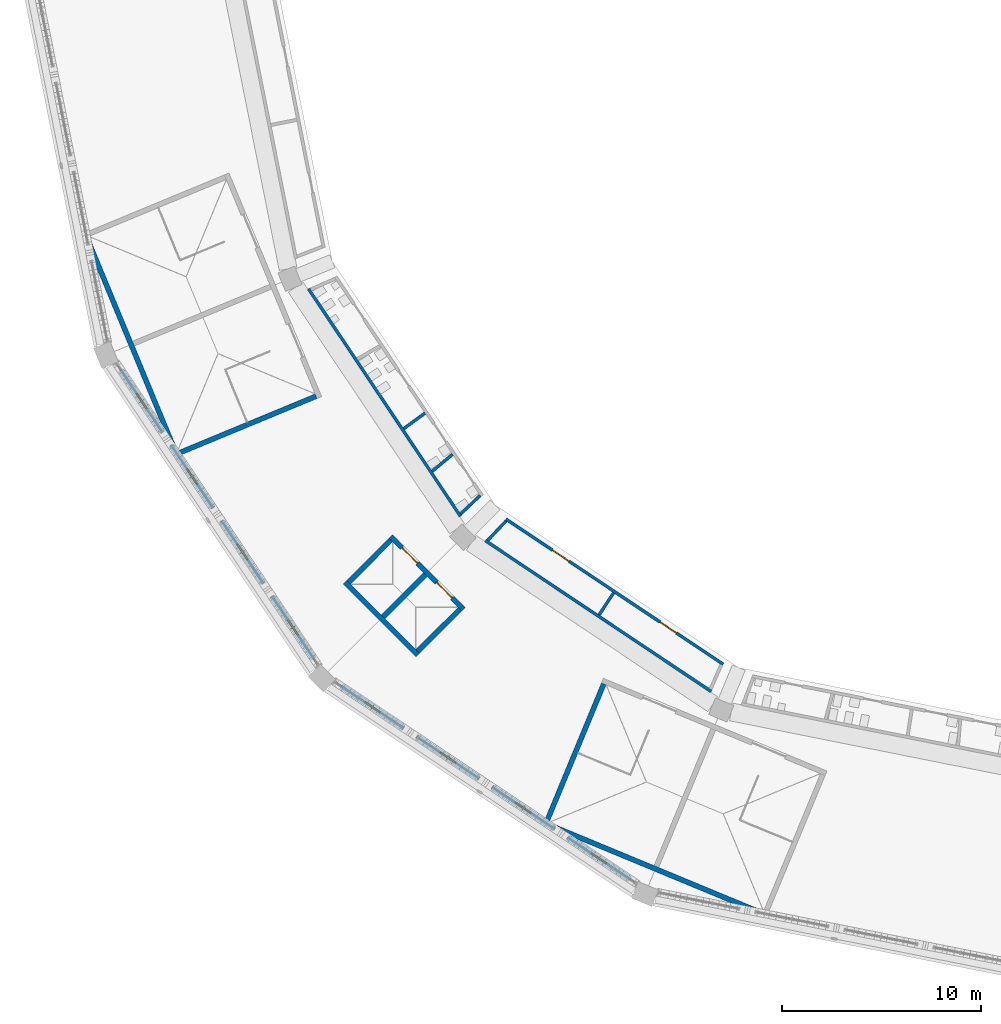
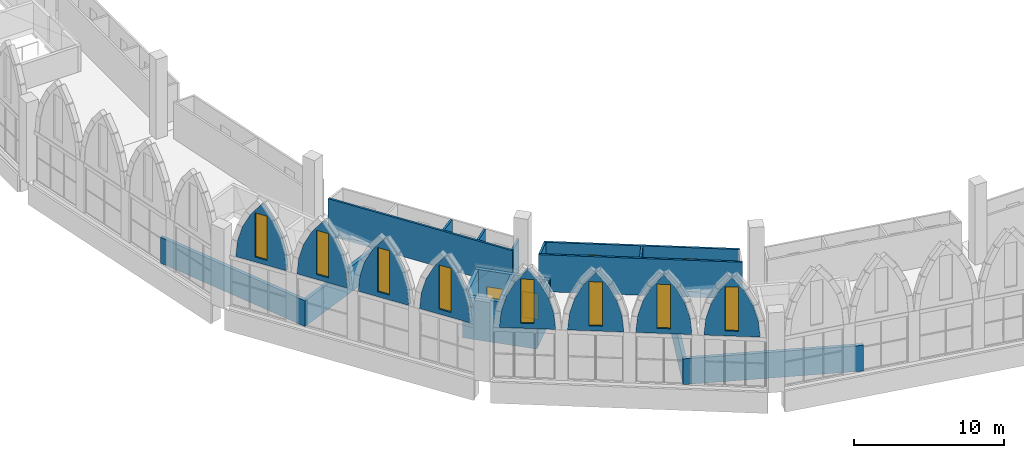
# One storey, part 63 of 130: 25 walls, 8 windows, 4 doors, 12 openings.
"""IFC4 building model written with IfcOpenShell, lengths in metres."""

from ifc_helpers import new_model, si_unit, direction, frame, frame_2d, origin, place, context, subcontext, project, spatial, polyline, rectangle, outline, extrude, material, layer, layer_set, type_object, element, fill, save


model = new_model("IFC4")

# Units and contexts
model_context = context("Model", 3, precision=1e-05, world=origin(), true_north=direction((0.0, 1.0)))
body_context = subcontext(model_context, "Body", "Model", "MODEL_VIEW")
ifc_project = project(units=[si_unit("LENGTHUNIT", "METRE"), si_unit("AREAUNIT", "SQUARE_METRE"), si_unit("VOLUMEUNIT", "CUBIC_METRE"), si_unit("PLANEANGLEUNIT", "RADIAN"), si_unit("MASSUNIT", "GRAM", prefix="KILO")], contexts=[model_context])

# Site, building, storey
site_placement = place(None, origin())
site = spatial("IfcSite", under=ifc_project, at=site_placement, CompositionType="ELEMENT")
building_placement = place(site_placement, origin())
building = spatial("IfcBuilding", under=site, at=building_placement, Name="Ogive Plaza Stadium", CompositionType="ELEMENT")
storey_placement = place(building_placement, frame((0.0, 0.0, 22.5)))
storey = spatial("IfcBuildingStorey", under=building, at=storey_placement, Name="L05", CompositionType="ELEMENT", Elevation=22.5)

# Wall, openings, doors
ifc_material_1 = material(Name="Masonry blockwork", Category="masonry")
ifc_layer_1 = layer(ifc_material_1, 0.14990234375)
ifc_layer_set_1 = layer_set([ifc_layer_1], Name="Blockwork wall 150")
wall_type_1 = type_object("IfcWallType", Name="Blockwork wall 150", PredefinedType="SOLIDWALL", material=ifc_layer_set_1)
wall_1_placement = place(storey_placement, frame((-49.214599609375, -87.157958984375, 0.0), z_axis=(0.0, 0.0, 1.0), x_axis=(-0.831468390799, 0.555572061125, 0.0)))
wall_1 = element("IfcWall", 1, at=wall_1_placement, inside=storey, type_object=wall_type_1, Name="Wall L05 B18", PredefinedType="SOLIDWALL", context=body_context, shape_type="SweptSolid", body=[
    extrude(rectangle(XDim=13.11328125, YDim=0.14990234375, at=frame_2d((6.556640625, 0.0))), origin(), (0.0, 0.0, 1.0), 3.0),
])
opening_1_placement = place(wall_1_placement, frame((2.81494140625, 0.0, 0.0)))
opening_1 = element("IfcOpeningElement", 2, at=opening_1_placement, cuts=wall_1, Name="Opening D0969", PredefinedType="OPENING", context=body_context, shape_type="SweptSolid", body=[
    extrude(rectangle(XDim=1.0, YDim=2.10009765625, at=frame_2d((0.5, 1.050048828125))), frame((0.0, 0.074951171875, 0.0), z_axis=(0.0, -1.0, 0.0), x_axis=(1.0, 0.0, 0.0)), (0.0, 0.0, 1.0), 0.14990234375),
])
opening_2_placement = place(wall_1_placement, frame((9.298095703125, 0.0, 0.0)))
opening_2 = element("IfcOpeningElement", 3, at=opening_2_placement, cuts=wall_1, Name="Opening D0970", PredefinedType="OPENING", context=body_context, shape_type="SweptSolid", body=[
    extrude(rectangle(XDim=1.0, YDim=2.10009765625, at=frame_2d((0.5, 1.050048828125))), frame((0.0, 0.074951171875, 0.0), z_axis=(0.0, -1.0, 0.0), x_axis=(1.0, 0.0, 0.0)), (0.0, 0.0, 1.0), 0.14990234375),
])
ifc_material_2 = material(Name="Steel ASTM A572 Grade 50", Category="steel")
door_type_1 = type_object("IfcDoorType", Name="Door 1000 x 2100", OperationType="SINGLE_SWING_LEFT", PredefinedType="DOOR", material=ifc_material_2)
door_1_placement = place(opening_1_placement, origin())
door_1 = element("IfcDoor", 4, at=door_1_placement, inside=storey, type_object=door_type_1, Name="Concession Stand B18 door", OperationType="SINGLE_SWING_LEFT", OverallHeight=2.10009765625, OverallWidth=1.0, PredefinedType="DOOR", context=body_context, shape_type="SweptSolid", body=[
    extrude(rectangle(XDim=1.0, YDim=2.10009765625, at=frame_2d((0.5, 1.050048828125))), frame((0.0, 0.02490234375, 0.0), z_axis=(0.0, -1.0, 0.0), x_axis=(1.0, 0.0, 0.0)), (0.0, 0.0, 1.0), 0.050048828125),
])
fill(opening_1, door_1)
door_2_placement = place(opening_2_placement, origin())
door_2 = element("IfcDoor", 5, at=door_2_placement, inside=storey, type_object=door_type_1, Name="Concession Stand B18 door", OperationType="SINGLE_SWING_RIGHT", OverallHeight=2.10009765625, OverallWidth=1.0, PredefinedType="DOOR", context=body_context, shape_type="SweptSolid", body=[
    extrude(rectangle(XDim=1.0, YDim=2.10009765625, at=frame_2d((0.5, 1.050048828125))), frame((0.0, 0.02490234375, 0.0), z_axis=(0.0, -1.0, 0.0), x_axis=(1.0, 0.0, 0.0)), (0.0, 0.0, 1.0), 0.050048828125),
])
fill(opening_2, door_2)

# Walls
wall_2_placement = place(storey_placement, frame((-49.815185546875, -88.526123046875, 0.0), z_axis=(0.0, 0.0, 1.0), x_axis=(-0.831462899962, 0.555580278616, 0.0)))
element("IfcWall", 6, at=wall_2_placement, inside=storey, type_object=wall_type_1, Name="Wall L05 B18", PredefinedType="SOLIDWALL", context=body_context, shape_type="SweptSolid", body=[
    extrude(rectangle(XDim=13.630859375, YDim=0.14990234375, at=frame_2d((6.8154296875, 0.0))), origin(), (0.0, 0.0, 1.0), 3.0),
])
wall_3_placement = place(storey_placement, frame((-54.70703125, -83.576416015625, 0.0), z_axis=(0.0, 0.0, 1.0), x_axis=(-0.554402331293, -0.832248793966, 0.0)))
element("IfcWall", 7, at=wall_3_placement, inside=storey, type_object=wall_type_1, Name="Wall L05 B18", PredefinedType="SOLIDWALL", context=body_context, shape_type="SweptSolid", body=[
    extrude(rectangle(XDim=1.32421875, YDim=0.14990234375, at=frame_2d((0.662109375, 0.0))), origin(), (0.0, 0.0, 1.0), 3.0),
])
wall_4_placement = place(storey_placement, frame((-60.108154296875, -79.967529296875, 0.0), z_axis=(0.0, 0.0, 1.0), x_axis=(-0.688797211472, -0.724954068523, 0.0)))
element("IfcWall", 8, at=wall_4_placement, inside=storey, type_object=wall_type_1, Name="Wall L05 B18", PredefinedType="SOLIDWALL", context=body_context, shape_type="SweptSolid", body=[
    extrude(rectangle(XDim=1.34375, YDim=0.14990234375, at=frame_2d((0.671875, 0.0))), origin(), (0.0, 0.0, 1.0), 3.0),
])
ifc_material_3 = material(Name="Concrete C40/50", Category="concrete")
ifc_layer_2 = layer(ifc_material_3, 0.25)
ifc_layer_set_2 = layer_set([ifc_layer_2], Name="Concrete C40/50")
wall_type_2 = type_object("IfcWallType", Name="Core wall 250", PredefinedType="SHEAR", material=ifc_layer_set_2)
wall_5_placement = place(storey_placement, frame((-58.224365234375, -95.108154296875, 0.0), z_axis=(0.0, 0.0, 1.0), x_axis=(0.923884584817, -0.382671234792, 0.0)))
element("IfcWall", 9, at=wall_5_placement, inside=storey, type_object=wall_type_2, Name="Stair core R18 outer wall", PredefinedType="SHEAR", context=body_context, shape_type="SweptSolid", body=[
    extrude(rectangle(XDim=12.14990234375, YDim=0.25, at=frame_2d((6.074951171875, 0.0))), origin(), (0.0, 0.0, 1.0), 2.10009765625),
])
wall_6_placement = place(storey_placement, frame((-55.206298828125, -88.148193359375, 0.0), z_axis=(0.0, 0.0, 1.0), x_axis=(-0.382664910245, -0.923887204407, 0.0)))
element("IfcWall", 10, at=wall_6_placement, inside=storey, type_object=wall_type_2, Name="Stair core R18 side wall", PredefinedType="SHEAR", context=body_context, shape_type="SweptSolid", body=[
    extrude(rectangle(XDim=7.460205078125, YDim=0.25, at=frame_2d((3.72998046875, 0.0))), origin(), (0.0, 0.0, 1.0), 2.10009765625),
])
wall_7_placement = place(storey_placement, frame((-81.257568359375, -65.499267578125, 0.0), z_axis=(0.0, 0.0, 1.0), x_axis=(0.382671234792, -0.923884584817, 0.0)))
element("IfcWall", 11, at=wall_7_placement, inside=storey, type_object=wall_type_2, Name="Stair core R20 outer wall", PredefinedType="SHEAR", context=body_context, shape_type="SweptSolid", body=[
    extrude(rectangle(XDim=12.14990234375, YDim=0.25, at=frame_2d((6.074951171875, 0.0))), origin(), (0.0, 0.0, 1.0), 2.10009765625),
])
wall_8_placement = place(storey_placement, frame((-69.648193359375, -73.706298828125, 0.0), z_axis=(0.0, 0.0, 1.0), x_axis=(-0.923887204407, -0.382664910245, 0.0)))
element("IfcWall", 12, at=wall_8_placement, inside=storey, type_object=wall_type_2, Name="Stair core R20 side wall", PredefinedType="SHEAR", context=body_context, shape_type="SweptSolid", body=[
    extrude(rectangle(XDim=7.460205078125, YDim=0.25, at=frame_2d((3.72998046875, 0.0))), origin(), (0.0, 0.0, 1.0), 2.10009765625),
])

# Wall, openings, doors
ifc_material_4 = material(Name="Concrete C40/50", Category="concrete")
ifc_layer_3 = layer(ifc_material_4, 0.25)
ifc_layer_set_3 = layer_set([ifc_layer_3], Name="Concrete C40/50")
wall_type_3 = type_object("IfcWallType", Name="Core wall 250 A", PredefinedType="SHEAR", material=ifc_layer_set_3)
wall_9_placement = place(storey_placement, frame((-65.890625, -80.7490234375, 0.0), z_axis=(0.0, 0.0, 1.0), x_axis=(0.707106781187, -0.707106781187, 0.0)))
wall_9 = element("IfcWall", 13, at=wall_9_placement, inside=storey, type_object=wall_type_3, Name="Lift core LP19 landing wall", PredefinedType="SHEAR", context=body_context, shape_type="SweptSolid", body=[
    extrude(rectangle(XDim=5.14990234375, YDim=0.25, at=frame_2d((2.574951171875, 0.0))), origin(), (0.0, 0.0, 1.0), 3.39990234375),
])
opening_3_placement = place(wall_9_placement, frame((0.800048828125, 0.0, 0.0)))
opening_3 = element("IfcOpeningElement", 14, at=opening_3_placement, cuts=wall_9, Name="Opening LD054", PredefinedType="OPENING", context=body_context, shape_type="SweptSolid", body=[
    extrude(rectangle(XDim=1.10009765625, YDim=2.10009765625, at=frame_2d((0.550048828125, 1.050048828125))), frame((0.0, 0.125, 0.0), z_axis=(0.0, -1.0, 0.0), x_axis=(1.0, 0.0, 0.0)), (0.0, 0.0, 1.0), 0.25),
])
opening_4_placement = place(wall_9_placement, frame((3.25, 0.0, 0.0)))
opening_4 = element("IfcOpeningElement", 15, at=opening_4_placement, cuts=wall_9, Name="Opening LD055", PredefinedType="OPENING", context=body_context, shape_type="SweptSolid", body=[
    extrude(rectangle(XDim=1.10009765625, YDim=2.10009765625, at=frame_2d((0.550048828125, 1.050048828125))), frame((0.0, 0.125, 0.0), z_axis=(0.0, -1.0, 0.0), x_axis=(1.0, 0.0, 0.0)), (0.0, 0.0, 1.0), 0.25),
])
ifc_material_5 = material(Name="Steel ASTM A572 Grade 50", Category="steel")
door_type_2 = type_object("IfcDoorType", Name="Landing door 1100 x 2100", OperationType="SLIDING_TO_LEFT", PredefinedType="DOOR", material=ifc_material_5)
door_3_placement = place(opening_3_placement, origin())
door_3 = element("IfcDoor", 16, at=door_3_placement, inside=storey, type_object=door_type_2, Name="Lift landing door LP19 L05", OperationType="SLIDING_TO_LEFT", OverallHeight=2.10009765625, OverallWidth=1.10009765625, PredefinedType="DOOR", context=body_context, shape_type="SweptSolid", body=[
    extrude(rectangle(XDim=1.10009765625, YDim=2.10009765625, at=frame_2d((0.550048828125, 1.050048828125))), frame((0.0, 0.02490234375, 0.0), z_axis=(0.0, -1.0, 0.0), x_axis=(1.0, 0.0, 0.0)), (0.0, 0.0, 1.0), 0.050048828125),
])
fill(opening_3, door_3)
door_4_placement = place(opening_4_placement, origin())
door_4 = element("IfcDoor", 17, at=door_4_placement, inside=storey, type_object=door_type_2, Name="Lift landing door LP19 L05", OperationType="SLIDING_TO_LEFT", OverallHeight=2.10009765625, OverallWidth=1.10009765625, PredefinedType="DOOR", context=body_context, shape_type="SweptSolid", body=[
    extrude(rectangle(XDim=1.10009765625, YDim=2.10009765625, at=frame_2d((0.550048828125, 1.050048828125))), frame((0.0, 0.02490234375, 0.0), z_axis=(0.0, -1.0, 0.0), x_axis=(1.0, 0.0, 0.0)), (0.0, 0.0, 1.0), 0.050048828125),
])
fill(opening_4, door_4)

# Walls
wall_10_placement = place(storey_placement, frame((-68.188720703125, -83.047119140625, 0.0), z_axis=(0.0, 0.0, 1.0), x_axis=(0.707106781187, -0.707106781187, 0.0)))
element("IfcWall", 18, at=wall_10_placement, inside=storey, type_object=wall_type_3, Name="Lift core LP19 rear wall", PredefinedType="SHEAR", context=body_context, shape_type="SweptSolid", body=[
    extrude(rectangle(XDim=5.14990234375, YDim=0.25, at=frame_2d((2.574951171875, 0.0))), origin(), (0.0, 0.0, 1.0), 3.39990234375),
])
for number, where, z_axis, x_axis, name in (
    (19, (-65.890625, -80.92578125, 0.0), (0.0, 0.0, 1.0), (-0.707066087907, -0.707147472125, 0.0), "Lift core LP19 side wall"),
    (20, (-62.42578125, -84.390625, 0.0), (0.0, 0.0, 1.0), (-0.707147472125, -0.707066087907, 0.0), "Lift core LP19 side wall"),
):
    element("IfcWall", number, at=place(storey_placement, frame(where, z_axis=z_axis, x_axis=x_axis)), inside=storey, type_object=wall_type_3, Name=name, PredefinedType="SHEAR", context=body_context, shape_type="SweptSolid", body=[
        extrude(rectangle(XDim=2.999755859375, YDim=0.25, at=frame_2d((1.5, 0.0))), origin(), (0.0, 0.0, 1.0), 3.39990234375),
    ])
wall_11_placement = place(storey_placement, frame((-64.158203125, -82.658203125, 0.0), z_axis=(0.0, 0.0, 1.0), x_axis=(-0.707106781187, -0.707106781187, 0.0)))
element("IfcWall", 21, at=wall_11_placement, inside=storey, type_object=wall_type_3, Name="Lift core LP19 centre wall", PredefinedType="SHEAR", context=body_context, shape_type="SweptSolid", body=[
    extrude(rectangle(XDim=3.0, YDim=0.25, at=frame_2d((1.5, 0.0))), origin(), (0.0, 0.0, 1.0), 3.39990234375),
])
ifc_material_6 = material(Name="Gypsum board partition", Category="gypsum")
ifc_layer_4 = layer(ifc_material_6, 0.14990234375)
ifc_layer_set_4 = layer_set([ifc_layer_4], Name="Partition 150")
wall_type_4 = type_object("IfcWallType", Name="Partition 150", PredefinedType="PARTITIONING", material=ifc_layer_set_4)
wall_12_placement = place(storey_placement, frame((-70.026123046875, -68.315185546875, 0.0), z_axis=(0.0, 0.0, 1.0), x_axis=(0.555573905052, -0.831467158717, 0.0)))
element("IfcWall", 22, at=wall_12_placement, inside=storey, type_object=wall_type_4, Name="Wall L05 B19", PredefinedType="PARTITIONING", context=body_context, shape_type="SweptSolid", body=[
    extrude(rectangle(XDim=13.730224609375, YDim=0.14990234375, at=frame_2d((6.865234375, 0.0))), origin(), (0.0, 0.0, 1.0), 3.0),
])
wall_13_placement = place(storey_placement, frame((-64.177490234375, -74.552734375, 0.0), z_axis=(0.0, 0.0, 1.0), x_axis=(-0.807323605105, -0.59010897014, 0.0)))
element("IfcWall", 23, at=wall_13_placement, inside=storey, type_object=wall_type_4, Name="Wall L05 B19", PredefinedType="PARTITIONING", context=body_context, shape_type="SweptSolid", body=[
    extrude(rectangle(XDim=1.3251953125, YDim=0.14990234375, at=frame_2d((0.66259765625, 0.0))), origin(), (0.0, 0.0, 1.0), 3.0),
])
wall_14_placement = place(storey_placement, frame((-62.7958984375, -76.620361328125, 0.0), z_axis=(0.0, 0.0, 1.0), x_axis=(-0.766596080784, -0.642129620035, 0.0)))
element("IfcWall", 24, at=wall_14_placement, inside=storey, type_object=wall_type_4, Name="Wall L05 B19", PredefinedType="PARTITIONING", context=body_context, shape_type="SweptSolid", body=[
    extrude(rectangle(XDim=1.331787109375, YDim=0.14990234375, at=frame_2d((0.666015625, 0.0))), origin(), (0.0, 0.0, 1.0), 3.0),
])
wall_15_placement = place(storey_placement, frame((-61.414306640625, -78.687744140625, 0.0), z_axis=(0.0, 0.0, 1.0), x_axis=(-0.723174104738, -0.690665776072, 0.0)))
element("IfcWall", 25, at=wall_15_placement, inside=storey, type_object=wall_type_4, Name="Wall L05 B19", PredefinedType="PARTITIONING", context=body_context, shape_type="SweptSolid", body=[
    extrude(rectangle(XDim=1.34423828125, YDim=0.14990234375, at=frame_2d((0.672119140625, 0.0))), origin(), (0.0, 0.0, 1.0), 3.0),
])

# Wall, opening, window
ifc_material_7 = material(Name="Concrete C45/55 precast", Category="concrete")
ifc_layer_5 = layer(ifc_material_7, 0.25)
ifc_material_8 = material(Name="Cast stone (reconstituted limestone)", Category="masonry")
ifc_layer_6 = layer(ifc_material_8, 0.050048828125)
ifc_layer_set_5 = layer_set([ifc_layer_5, ifc_layer_6], Name="Concrete C45/55 precast, cast stone facing")
wall_type_5 = type_object("IfcWallType", Name="Tympanum wall 300", PredefinedType="SOLIDWALL", material=ifc_layer_set_5)
wall_16_placement = place(storey_placement, frame((-53.88818359375, -97.94970703125, 4.10009765625), z_axis=(0.0, 0.0, 1.0), x_axis=(-0.831449970196, 0.555599628384, 0.0)))
wall_16 = element("IfcWall", 26, at=wall_16_placement, inside=storey, type_object=wall_type_5, Name="TYMPANUM B18 1", PredefinedType="SOLIDWALL", context=body_context, shape_type="SweptSolid", body=[
    extrude(outline(polyline([(0.0, 0.0), (3.757080078125, 0.0), (3.757080078125, 0.0498046875), (3.634521484375, 1.311279296875), (3.270751953125, 2.5771484375), (2.678466796875, 3.753662109375), (1.878662109375, 4.7998046875), (1.07861328125, 3.753662109375), (0.486328125, 2.5771484375), (0.12255859375, 1.311279296875), (0.0, 0.0498046875), (0.0, 0.0)])), frame((0.0, 0.14990234375, 0.0), z_axis=(0.0, -1.0, 0.0), x_axis=(1.0, 0.0, 0.0)), (0.0, 0.0, 1.0), 0.300048828125),
])
opening_5_placement = place(wall_16_placement, frame((1.428466796875, 0.0, 0.39990234375)))
opening_5 = element("IfcOpeningElement", 27, at=opening_5_placement, cuts=wall_16, Name="Opening W-18-1", PredefinedType="OPENING", context=body_context, shape_type="SweptSolid", body=[
    extrude(rectangle(XDim=0.89990234375, YDim=3.60009765625, at=frame_2d((0.449951171875, 1.800048828125))), frame((0.0, 0.16015625, 0.0), z_axis=(0.0, -1.0, 0.0), x_axis=(1.0, 0.0, 0.0)), (0.0, 0.0, 1.0), 0.320068359375),
])
ifc_material_9 = material(Name="Bronze-anodised aluminium and laminated glass", Category="aluminium")
window_type = type_object("IfcWindowType", Name="Lancet window 900 x 3600", PartitioningType="SINGLE_PANEL", PredefinedType="WINDOW", material=ifc_material_9)
window_1_placement = place(opening_5_placement, origin())
window_1 = element("IfcWindow", 28, at=window_1_placement, inside=storey, type_object=window_type, Name="LANCET WINDOW B18 1", OverallHeight=3.60009765625, OverallWidth=0.89990234375, PartitioningType="SINGLE_PANEL", PredefinedType="WINDOW", context=body_context, shape_type="SweptSolid", body=[
    extrude(rectangle(XDim=0.89990234375, YDim=3.60009765625, at=frame_2d((0.449951171875, 1.800048828125))), frame((0.0, 0.030029296875, 0.0), z_axis=(0.0, -1.0, 0.0), x_axis=(1.0, 0.0, 0.0)), (0.0, 0.0, 1.0), 0.06005859375),
])
fill(opening_5, window_1)

wall_17_placement = place(storey_placement, frame((-57.67724609375, -95.41796875, 4.10009765625), z_axis=(0.0, 0.0, 1.0), x_axis=(-0.831449970196, 0.555599628384, 0.0)))
wall_17 = element("IfcWall", 29, at=wall_17_placement, inside=storey, type_object=wall_type_5, Name="TYMPANUM B18 2", PredefinedType="SOLIDWALL", context=body_context, shape_type="SweptSolid", body=[
    extrude(outline(polyline([(0.0, 0.0), (3.757080078125, 0.0), (3.757080078125, 0.0498046875), (3.634521484375, 1.311279296875), (3.270751953125, 2.5771484375), (2.678466796875, 3.753662109375), (1.878662109375, 4.7998046875), (1.07861328125, 3.753662109375), (0.486328125, 2.5771484375), (0.12255859375, 1.311279296875), (0.0, 0.0498046875), (0.0, 0.0)])), frame((0.0, 0.14990234375, 0.0), z_axis=(0.0, -1.0, 0.0), x_axis=(1.0, 0.0, 0.0)), (0.0, 0.0, 1.0), 0.300048828125),
])
opening_6_placement = place(wall_17_placement, frame((1.428466796875, 0.0, 0.39990234375)))
opening_6 = element("IfcOpeningElement", 30, at=opening_6_placement, cuts=wall_17, Name="Opening W-18-2", PredefinedType="OPENING", context=body_context, shape_type="SweptSolid", body=[
    extrude(rectangle(XDim=0.89990234375, YDim=3.60009765625, at=frame_2d((0.449951171875, 1.800048828125))), frame((0.0, 0.16015625, 0.0), z_axis=(0.0, -1.0, 0.0), x_axis=(1.0, 0.0, 0.0)), (0.0, 0.0, 1.0), 0.320068359375),
])
window_2_placement = place(opening_6_placement, origin())
window_2 = element("IfcWindow", 31, at=window_2_placement, inside=storey, type_object=window_type, Name="LANCET WINDOW B18 2", OverallHeight=3.60009765625, OverallWidth=0.89990234375, PartitioningType="SINGLE_PANEL", PredefinedType="WINDOW", context=body_context, shape_type="SweptSolid", body=[
    extrude(rectangle(XDim=0.89990234375, YDim=3.60009765625, at=frame_2d((0.449951171875, 1.800048828125))), frame((0.0, 0.030029296875, 0.0), z_axis=(0.0, -1.0, 0.0), x_axis=(1.0, 0.0, 0.0)), (0.0, 0.0, 1.0), 0.06005859375),
])
fill(opening_6, window_2)

wall_18_placement = place(storey_placement, frame((-61.46630859375, -92.88623046875, 4.10009765625), z_axis=(0.0, 0.0, 1.0), x_axis=(-0.831449970196, 0.555599628384, 0.0)))
wall_18 = element("IfcWall", 32, at=wall_18_placement, inside=storey, type_object=wall_type_5, Name="TYMPANUM B18 3", PredefinedType="SOLIDWALL", context=body_context, shape_type="SweptSolid", body=[
    extrude(outline(polyline([(0.0, 0.0), (3.757080078125, 0.0), (3.757080078125, 0.0498046875), (3.634521484375, 1.311279296875), (3.270751953125, 2.5771484375), (2.678466796875, 3.753662109375), (1.878662109375, 4.7998046875), (1.07861328125, 3.753662109375), (0.486328125, 2.5771484375), (0.12255859375, 1.311279296875), (0.0, 0.0498046875), (0.0, 0.0)])), frame((0.0, 0.14990234375, 0.0), z_axis=(0.0, -1.0, 0.0), x_axis=(1.0, 0.0, 0.0)), (0.0, 0.0, 1.0), 0.300048828125),
])
opening_7_placement = place(wall_18_placement, frame((1.428466796875, 0.0, 0.39990234375)))
opening_7 = element("IfcOpeningElement", 33, at=opening_7_placement, cuts=wall_18, Name="Opening W-18-3", PredefinedType="OPENING", context=body_context, shape_type="SweptSolid", body=[
    extrude(rectangle(XDim=0.89990234375, YDim=3.60009765625, at=frame_2d((0.449951171875, 1.800048828125))), frame((0.0, 0.16015625, 0.0), z_axis=(0.0, -1.0, 0.0), x_axis=(1.0, 0.0, 0.0)), (0.0, 0.0, 1.0), 0.320068359375),
])
window_3_placement = place(opening_7_placement, origin())
window_3 = element("IfcWindow", 34, at=window_3_placement, inside=storey, type_object=window_type, Name="LANCET WINDOW B18 3", OverallHeight=3.60009765625, OverallWidth=0.89990234375, PartitioningType="SINGLE_PANEL", PredefinedType="WINDOW", context=body_context, shape_type="SweptSolid", body=[
    extrude(rectangle(XDim=0.89990234375, YDim=3.60009765625, at=frame_2d((0.449951171875, 1.800048828125))), frame((0.0, 0.030029296875, 0.0), z_axis=(0.0, -1.0, 0.0), x_axis=(1.0, 0.0, 0.0)), (0.0, 0.0, 1.0), 0.06005859375),
])
fill(opening_7, window_3)

wall_19_placement = place(storey_placement, frame((-65.25537109375, -90.354248046875, 4.10009765625), z_axis=(0.0, 0.0, 1.0), x_axis=(-0.831479988906, 0.555554703021, 0.0)))
wall_19 = element("IfcWall", 35, at=wall_19_placement, inside=storey, type_object=wall_type_5, Name="TYMPANUM B18 4", PredefinedType="SOLIDWALL", context=body_context, shape_type="SweptSolid", body=[
    extrude(outline(polyline([(0.0, 0.0), (3.7568359375, 0.0), (3.757080078125, 0.0498046875), (3.634521484375, 1.311279296875), (3.270751953125, 2.5771484375), (2.678466796875, 3.753662109375), (1.878662109375, 4.7998046875), (1.07861328125, 3.753662109375), (0.486328125, 2.5771484375), (0.12255859375, 1.311279296875), (0.0, 0.0498046875), (0.0, 0.0)])), frame((0.0, 0.14990234375, 0.0), z_axis=(0.0, -1.0, 0.0), x_axis=(1.0, 0.0, 0.0)), (0.0, 0.0, 1.0), 0.300048828125),
])
opening_8_placement = place(wall_19_placement, frame((1.428466796875, 0.0, 0.39990234375)))
opening_8 = element("IfcOpeningElement", 36, at=opening_8_placement, cuts=wall_19, Name="Opening W-18-4", PredefinedType="OPENING", context=body_context, shape_type="SweptSolid", body=[
    extrude(rectangle(XDim=0.89990234375, YDim=3.60009765625, at=frame_2d((0.449951171875, 1.800048828125))), frame((0.0, 0.16015625, 0.0), z_axis=(0.0, -1.0, 0.0), x_axis=(1.0, 0.0, 0.0)), (0.0, 0.0, 1.0), 0.320068359375),
])
window_4_placement = place(opening_8_placement, origin())
window_4 = element("IfcWindow", 37, at=window_4_placement, inside=storey, type_object=window_type, Name="LANCET WINDOW B18 4", OverallHeight=3.60009765625, OverallWidth=0.89990234375, PartitioningType="SINGLE_PANEL", PredefinedType="WINDOW", context=body_context, shape_type="SweptSolid", body=[
    extrude(rectangle(XDim=0.89990234375, YDim=3.60009765625, at=frame_2d((0.449951171875, 1.800048828125))), frame((0.0, 0.030029296875, 0.0), z_axis=(0.0, -1.0, 0.0), x_axis=(1.0, 0.0, 0.0)), (0.0, 0.0, 1.0), 0.06005859375),
])
fill(opening_8, window_4)

wall_20_placement = place(storey_placement, frame((-69.76708984375, -86.879150390625, 4.10009765625), z_axis=(0.0, 0.0, 1.0), x_axis=(-0.555554703021, 0.831479988906, 0.0)))
wall_20 = element("IfcWall", 38, at=wall_20_placement, inside=storey, type_object=wall_type_5, Name="TYMPANUM B19 1", PredefinedType="SOLIDWALL", context=body_context, shape_type="SweptSolid", body=[
    extrude(outline(polyline([(0.0, 0.0), (3.7568359375, 0.0), (3.757080078125, 0.0498046875), (3.634521484375, 1.311279296875), (3.270751953125, 2.5771484375), (2.678466796875, 3.753662109375), (1.878662109375, 4.7998046875), (1.07861328125, 3.753662109375), (0.486328125, 2.5771484375), (0.12255859375, 1.311279296875), (0.0, 0.0498046875), (0.0, 0.0)])), frame((0.0, 0.14990234375, 0.0), z_axis=(0.0, -1.0, 0.0), x_axis=(1.0, 0.0, 0.0)), (0.0, 0.0, 1.0), 0.300048828125),
])
opening_9_placement = place(wall_20_placement, frame((1.428466796875, 0.0, 0.39990234375)))
opening_9 = element("IfcOpeningElement", 39, at=opening_9_placement, cuts=wall_20, Name="Opening W-19-1", PredefinedType="OPENING", context=body_context, shape_type="SweptSolid", body=[
    extrude(rectangle(XDim=0.89990234375, YDim=3.60009765625, at=frame_2d((0.449951171875, 1.800048828125))), frame((0.0, 0.16015625, 0.0), z_axis=(0.0, -1.0, 0.0), x_axis=(1.0, 0.0, 0.0)), (0.0, 0.0, 1.0), 0.320068359375),
])
window_5_placement = place(opening_9_placement, origin())
window_5 = element("IfcWindow", 40, at=window_5_placement, inside=storey, type_object=window_type, Name="LANCET WINDOW B19 1", OverallHeight=3.60009765625, OverallWidth=0.89990234375, PartitioningType="SINGLE_PANEL", PredefinedType="WINDOW", context=body_context, shape_type="SweptSolid", body=[
    extrude(rectangle(XDim=0.89990234375, YDim=3.60009765625, at=frame_2d((0.449951171875, 1.800048828125))), frame((0.0, 0.030029296875, 0.0), z_axis=(0.0, -1.0, 0.0), x_axis=(1.0, 0.0, 0.0)), (0.0, 0.0, 1.0), 0.06005859375),
])
fill(opening_9, window_5)

wall_21_placement = place(storey_placement, frame((-72.298828125, -83.090087890625, 4.10009765625), z_axis=(0.0, 0.0, 1.0), x_axis=(-0.555599628384, 0.831449970196, 0.0)))
wall_21 = element("IfcWall", 41, at=wall_21_placement, inside=storey, type_object=wall_type_5, Name="TYMPANUM B19 2", PredefinedType="SOLIDWALL", context=body_context, shape_type="SweptSolid", body=[
    extrude(outline(polyline([(0.0, 0.0), (3.757080078125, 0.0), (3.757080078125, 0.0498046875), (3.634521484375, 1.311279296875), (3.270751953125, 2.5771484375), (2.678466796875, 3.753662109375), (1.878662109375, 4.7998046875), (1.07861328125, 3.753662109375), (0.486328125, 2.5771484375), (0.12255859375, 1.311279296875), (0.0, 0.0498046875), (0.0, 0.0)])), frame((0.0, 0.14990234375, 0.0), z_axis=(0.0, -1.0, 0.0), x_axis=(1.0, 0.0, 0.0)), (0.0, 0.0, 1.0), 0.300048828125),
])
opening_10_placement = place(wall_21_placement, frame((1.428466796875, 0.0, 0.39990234375)))
opening_10 = element("IfcOpeningElement", 42, at=opening_10_placement, cuts=wall_21, Name="Opening W-19-2", PredefinedType="OPENING", context=body_context, shape_type="SweptSolid", body=[
    extrude(rectangle(XDim=0.89990234375, YDim=3.60009765625, at=frame_2d((0.449951171875, 1.800048828125))), frame((0.0, 0.16015625, 0.0), z_axis=(0.0, -1.0, 0.0), x_axis=(1.0, 0.0, 0.0)), (0.0, 0.0, 1.0), 0.320068359375),
])
window_6_placement = place(opening_10_placement, origin())
window_6 = element("IfcWindow", 43, at=window_6_placement, inside=storey, type_object=window_type, Name="LANCET WINDOW B19 2", OverallHeight=3.60009765625, OverallWidth=0.89990234375, PartitioningType="SINGLE_PANEL", PredefinedType="WINDOW", context=body_context, shape_type="SweptSolid", body=[
    extrude(rectangle(XDim=0.89990234375, YDim=3.60009765625, at=frame_2d((0.449951171875, 1.800048828125))), frame((0.0, 0.030029296875, 0.0), z_axis=(0.0, -1.0, 0.0), x_axis=(1.0, 0.0, 0.0)), (0.0, 0.0, 1.0), 0.06005859375),
])
fill(opening_10, window_6)

wall_22_placement = place(storey_placement, frame((-74.83056640625, -79.301025390625, 4.10009765625), z_axis=(0.0, 0.0, 1.0), x_axis=(-0.555599628384, 0.831449970196, 0.0)))
wall_22 = element("IfcWall", 44, at=wall_22_placement, inside=storey, type_object=wall_type_5, Name="TYMPANUM B19 3", PredefinedType="SOLIDWALL", context=body_context, shape_type="SweptSolid", body=[
    extrude(outline(polyline([(0.0, 0.0), (3.757080078125, 0.0), (3.757080078125, 0.0498046875), (3.634521484375, 1.311279296875), (3.270751953125, 2.5771484375), (2.678466796875, 3.753662109375), (1.878662109375, 4.7998046875), (1.07861328125, 3.753662109375), (0.486328125, 2.5771484375), (0.12255859375, 1.311279296875), (0.0, 0.0498046875), (0.0, 0.0)])), frame((0.0, 0.14990234375, 0.0), z_axis=(0.0, -1.0, 0.0), x_axis=(1.0, 0.0, 0.0)), (0.0, 0.0, 1.0), 0.300048828125),
])
opening_11_placement = place(wall_22_placement, frame((1.428466796875, 0.0, 0.39990234375)))
opening_11 = element("IfcOpeningElement", 45, at=opening_11_placement, cuts=wall_22, Name="Opening W-19-3", PredefinedType="OPENING", context=body_context, shape_type="SweptSolid", body=[
    extrude(rectangle(XDim=0.89990234375, YDim=3.60009765625, at=frame_2d((0.449951171875, 1.800048828125))), frame((0.0, 0.16015625, 0.0), z_axis=(0.0, -1.0, 0.0), x_axis=(1.0, 0.0, 0.0)), (0.0, 0.0, 1.0), 0.320068359375),
])
window_7_placement = place(opening_11_placement, origin())
window_7 = element("IfcWindow", 46, at=window_7_placement, inside=storey, type_object=window_type, Name="LANCET WINDOW B19 3", OverallHeight=3.60009765625, OverallWidth=0.89990234375, PartitioningType="SINGLE_PANEL", PredefinedType="WINDOW", context=body_context, shape_type="SweptSolid", body=[
    extrude(rectangle(XDim=0.89990234375, YDim=3.60009765625, at=frame_2d((0.449951171875, 1.800048828125))), frame((0.0, 0.030029296875, 0.0), z_axis=(0.0, -1.0, 0.0), x_axis=(1.0, 0.0, 0.0)), (0.0, 0.0, 1.0), 0.06005859375),
])
fill(opening_11, window_7)

wall_23_placement = place(storey_placement, frame((-77.3623046875, -75.511962890625, 4.10009765625), z_axis=(0.0, 0.0, 1.0), x_axis=(-0.555599628384, 0.831449970196, 0.0)))
wall_23 = element("IfcWall", 47, at=wall_23_placement, inside=storey, type_object=wall_type_5, Name="TYMPANUM B19 4", PredefinedType="SOLIDWALL", context=body_context, shape_type="SweptSolid", body=[
    extrude(outline(polyline([(0.0, 0.0), (3.757080078125, 0.0), (3.757080078125, 0.0498046875), (3.634521484375, 1.311279296875), (3.270751953125, 2.5771484375), (2.678466796875, 3.753662109375), (1.878662109375, 4.7998046875), (1.07861328125, 3.753662109375), (0.486328125, 2.5771484375), (0.12255859375, 1.311279296875), (0.0, 0.0498046875), (0.0, 0.0)])), frame((0.0, 0.14990234375, 0.0), z_axis=(0.0, -1.0, 0.0), x_axis=(1.0, 0.0, 0.0)), (0.0, 0.0, 1.0), 0.300048828125),
])
opening_12_placement = place(wall_23_placement, frame((1.428466796875, 0.0, 0.39990234375)))
opening_12 = element("IfcOpeningElement", 48, at=opening_12_placement, cuts=wall_23, Name="Opening W-19-4", PredefinedType="OPENING", context=body_context, shape_type="SweptSolid", body=[
    extrude(rectangle(XDim=0.89990234375, YDim=3.60009765625, at=frame_2d((0.449951171875, 1.800048828125))), frame((0.0, 0.16015625, 0.0), z_axis=(0.0, -1.0, 0.0), x_axis=(1.0, 0.0, 0.0)), (0.0, 0.0, 1.0), 0.320068359375),
])
window_8_placement = place(opening_12_placement, origin())
window_8 = element("IfcWindow", 49, at=window_8_placement, inside=storey, type_object=window_type, Name="LANCET WINDOW B19 4", OverallHeight=3.60009765625, OverallWidth=0.89990234375, PartitioningType="SINGLE_PANEL", PredefinedType="WINDOW", context=body_context, shape_type="SweptSolid", body=[
    extrude(rectangle(XDim=0.89990234375, YDim=3.60009765625, at=frame_2d((0.449951171875, 1.800048828125))), frame((0.0, 0.030029296875, 0.0), z_axis=(0.0, -1.0, 0.0), x_axis=(1.0, 0.0, 0.0)), (0.0, 0.0, 1.0), 0.06005859375),
])
fill(opening_12, window_8)

save(model, "model.ifc")
